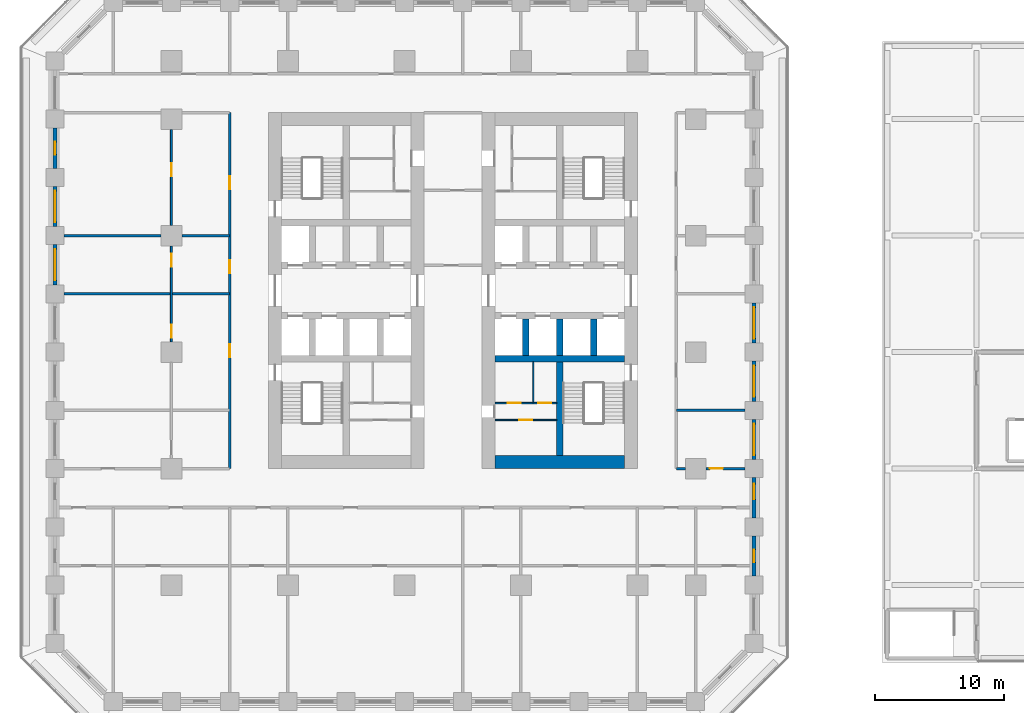
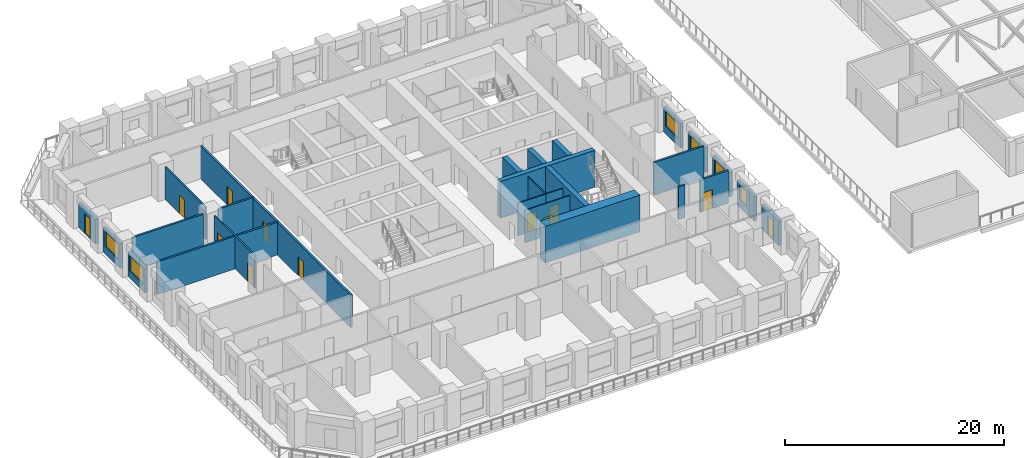
# One storey, part 20 of 30: 27 walls, 12 doors, 6 windows, 18 openings.
"""IFC4 building model written with IfcOpenShell, lengths in metres."""

from ifc_helpers import new_model, si_unit, direction, frame, frame_2d, origin, place, context, subcontext, project, spatial, rectangle, extrude, material, layer, layer_set, type_object, element, fill, save


model = new_model("IFC4")

# Units and contexts
model_context = context("Model", 3, precision=1e-05, world=origin(), true_north=direction((0.0, 1.0)))
body_context = subcontext(model_context, "Body", "Model", "MODEL_VIEW")
ifc_project = project(units=[si_unit("LENGTHUNIT", "METRE"), si_unit("AREAUNIT", "SQUARE_METRE"), si_unit("VOLUMEUNIT", "CUBIC_METRE"), si_unit("PLANEANGLEUNIT", "RADIAN"), si_unit("MASSUNIT", "GRAM", prefix="KILO")], contexts=[model_context])

# Site, building, storey
site_placement = place(None, origin())
site = spatial("IfcSite", under=ifc_project, at=site_placement, CompositionType="ELEMENT")
building_placement = place(site_placement, origin())
building = spatial("IfcBuilding", under=site, at=building_placement, Name="Corbel Stack Research Tower", CompositionType="ELEMENT")
storey_placement = place(building_placement, frame((0.0, 0.0, 19.5)))
storey = spatial("IfcBuildingStorey", under=building, at=storey_placement, Name="L04", CompositionType="ELEMENT", Elevation=19.5)

# Walls
ifc_material_1 = material(Name="Concrete C70/85", Category="concrete")
ifc_layer_1 = layer(ifc_material_1, 1.0)
ifc_layer_set_1 = layer_set([ifc_layer_1], Name="Concrete C70/85")
wall_type_1 = type_object("IfcWallType", Name="CW-1000-70", PredefinedType="SHEAR", material=ifc_layer_set_1)
wall_1_placement = place(storey_placement, frame((7.0, -8.5, 0.0), z_axis=(0.0, 0.0, 1.0), x_axis=(1.0, 0.0, 0.0)))
element("IfcWall", 1, at=wall_1_placement, inside=storey, type_object=wall_type_1, Name="East core wall, south end L04", PredefinedType="SHEAR", context=body_context, shape_type="SweptSolid", body=[
    extrude(rectangle(XDim=10.0, YDim=1.0, at=frame_2d((5.0, 0.0))), origin(), (0.0, 0.0, 1.0), 4.10009765625),
])
ifc_material_2 = material(Name="Concrete C70/85", Category="concrete")
ifc_layer_2 = layer(ifc_material_2, 0.5)
ifc_layer_set_2 = layer_set([ifc_layer_2], Name="Concrete C70/85")
wall_type_2 = type_object("IfcWallType", Name="CW-500-70", PredefinedType="SHEAR", material=ifc_layer_set_2)
wall_2_placement = place(storey_placement, frame((7.0, -0.5, 0.0), z_axis=(0.0, 0.0, 1.0), x_axis=(1.0, 0.0, 0.0)))
element("IfcWall", 2, at=wall_2_placement, inside=storey, type_object=wall_type_2, Name="East core wall, south row back L04", PredefinedType="SHEAR", context=body_context, shape_type="SweptSolid", body=[
    extrude(rectangle(XDim=10.0, YDim=0.5, at=frame_2d((5.0, 0.0))), origin(), (0.0, 0.0, 1.0), 4.10009765625),
])
for number, where, z_axis, x_axis, name in (
    (3, (9.375, -0.25, 0.0), (0.0, 0.0, 1.0), (0.0, 1.0, 0.0), "East core wall, south shaft 1 L04"),
    (4, (12.0, -0.25, 0.0), (0.0, 0.0, 1.0), (0.0, 1.0, 0.0), "East core wall, south shaft 2 L04"),
    (5, (14.625, -0.25, 0.0), (0.0, 0.0, 1.0), (0.0, 1.0, 0.0), "East core wall, south shaft 3 L04"),
):
    element("IfcWall", number, at=place(storey_placement, frame(where, z_axis=z_axis, x_axis=x_axis)), inside=storey, type_object=wall_type_2, Name=name, PredefinedType="SHEAR", context=body_context, shape_type="SweptSolid", body=[
        extrude(rectangle(XDim=2.800048828125, YDim=0.5, at=frame_2d((1.39990234375, 0.0))), origin(), (0.0, 0.0, 1.0), 4.10009765625),
    ])
wall_3_placement = place(storey_placement, frame((12.0, -8.0, 0.0), z_axis=(0.0, 0.0, 1.0), x_axis=(0.0, 1.0, 0.0)))
element("IfcWall", 6, at=wall_3_placement, inside=storey, type_object=wall_type_2, Name="East core wall, south stair and WC L04", PredefinedType="SHEAR", context=body_context, shape_type="SweptSolid", body=[
    extrude(rectangle(XDim=7.25, YDim=0.5, at=frame_2d((3.625, 0.0))), origin(), (0.0, 0.0, 1.0), 4.10009765625),
])

# Wall, opening, door
ifc_material_3 = material(Name="Gypsum board")
ifc_layer_3 = layer(ifc_material_3, 0.10009765625)
ifc_layer_set_3 = layer_set([ifc_layer_3], Name="Gypsum board")
wall_type_3 = type_object("IfcWallType", Name="Core partition 100", PredefinedType="PARTITIONING", material=ifc_layer_set_3)
wall_4_placement = place(storey_placement, frame((7.0, -5.2451171875, 0.0), z_axis=(0.0, 0.0, 1.0), x_axis=(1.0, 0.0, 0.0)))
wall_4 = element("IfcWall", 7, at=wall_4_placement, inside=storey, type_object=wall_type_3, Name="Core partition E", PredefinedType="PARTITIONING", context=body_context, shape_type="SweptSolid", body=[
    extrude(rectangle(XDim=4.75, YDim=0.10009765625, at=frame_2d((2.375, 0.0))), origin(), (0.0, 0.0, 1.0), 3.64990234375),
])
opening_1_placement = place(wall_4_placement, frame((1.875, 0.0, 0.0)))
opening_1 = element("IfcOpeningElement", 8, at=opening_1_placement, cuts=wall_4, Name="Opening CR-E24-W2-1000", PredefinedType="OPENING", context=body_context, shape_type="SweptSolid", body=[
    extrude(rectangle(XDim=1.0, YDim=2.10009765625, at=frame_2d((0.5, 1.050048828125))), frame((0.0, 0.06005859375, 0.0), z_axis=(0.0, -1.0, 0.0), x_axis=(1.0, 0.0, 0.0)), (0.0, 0.0, 1.0), 0.1201171875),
])
ifc_material_4 = material(Name="Painted timber door", Category="wood")
door_type_1 = type_object("IfcDoorType", Name="WC door 1000 x 2100 left hand", OperationType="SINGLE_SWING_LEFT", PredefinedType="DOOR", material=ifc_material_4)
door_1_placement = place(opening_1_placement, origin())
door_1 = element("IfcDoor", 9, at=door_1_placement, inside=storey, type_object=door_type_1, Name="Men's WC door E core", OperationType="SINGLE_SWING_LEFT", OverallHeight=2.10009765625, OverallWidth=1.0, PredefinedType="DOOR", context=body_context, shape_type="SweptSolid", body=[
    extrude(rectangle(XDim=1.0, YDim=2.10009765625, at=frame_2d((0.5, 1.050048828125))), frame((0.0, 0.02490234375, 0.0), z_axis=(0.0, -1.0, 0.0), x_axis=(1.0, 0.0, 0.0)), (0.0, 0.0, 1.0), 0.050048828125),
])
fill(opening_1, door_1)

wall_5_placement = place(storey_placement, frame((7.0, -3.93994140625, 0.0), z_axis=(0.0, 0.0, 1.0), x_axis=(1.0, 0.0, 0.0)))
wall_5 = element("IfcWall", 10, at=wall_5_placement, inside=storey, type_object=wall_type_3, Name="Core partition E", PredefinedType="PARTITIONING", context=body_context, shape_type="SweptSolid", body=[
    extrude(rectangle(XDim=2.945068359375, YDim=0.10009765625, at=frame_2d((1.47265625, 0.0))), origin(), (0.0, 0.0, 1.0), 3.64990234375),
])
opening_2_placement = place(wall_5_placement, frame((0.972412109375, 0.0, 0.0)))
opening_2 = element("IfcOpeningElement", 11, at=opening_2_placement, cuts=wall_5, Name="Opening CR-E24-W3-1000", PredefinedType="OPENING", context=body_context, shape_type="SweptSolid", body=[
    extrude(rectangle(XDim=1.0, YDim=2.10009765625, at=frame_2d((0.5, 1.050048828125))), frame((0.0, 0.06005859375, 0.0), z_axis=(0.0, -1.0, 0.0), x_axis=(1.0, 0.0, 0.0)), (0.0, 0.0, 1.0), 0.1201171875),
])
ifc_material_5 = material(Name="Painted timber door", Category="wood")
door_type_2 = type_object("IfcDoorType", Name="WC door 1000 x 2100 right hand", OperationType="SINGLE_SWING_RIGHT", PredefinedType="DOOR", material=ifc_material_5)
door_2_placement = place(opening_2_placement, origin())
door_2 = element("IfcDoor", 12, at=door_2_placement, inside=storey, type_object=door_type_2, Name="Women's WC door E core", OperationType="SINGLE_SWING_RIGHT", OverallHeight=2.10009765625, OverallWidth=1.0, PredefinedType="DOOR", context=body_context, shape_type="SweptSolid", body=[
    extrude(rectangle(XDim=1.0, YDim=2.10009765625, at=frame_2d((0.5, 1.050048828125))), frame((0.0, 0.02490234375, 0.0), z_axis=(0.0, -1.0, 0.0), x_axis=(1.0, 0.0, 0.0)), (0.0, 0.0, 1.0), 0.050048828125),
])
fill(opening_2, door_2)

wall_6_placement = place(storey_placement, frame((9.945068359375, -3.93994140625, 0.0), z_axis=(0.0, 0.0, 1.0), x_axis=(1.0, 0.0, 0.0)))
wall_6 = element("IfcWall", 13, at=wall_6_placement, inside=storey, type_object=wall_type_3, Name="Core partition E", PredefinedType="PARTITIONING", context=body_context, shape_type="SweptSolid", body=[
    extrude(rectangle(XDim=1.804931640625, YDim=0.10009765625, at=frame_2d((0.90234375, 0.0))), origin(), (0.0, 0.0, 1.0), 3.64990234375),
])
opening_3_placement = place(wall_6_placement, frame((0.402587890625, 0.0, 0.0)))
opening_3 = element("IfcOpeningElement", 14, at=opening_3_placement, cuts=wall_6, Name="Opening CR-E24-W4-1000", PredefinedType="OPENING", context=body_context, shape_type="SweptSolid", body=[
    extrude(rectangle(XDim=1.0, YDim=2.10009765625, at=frame_2d((0.5, 1.050048828125))), frame((0.0, 0.06005859375, 0.0), z_axis=(0.0, -1.0, 0.0), x_axis=(1.0, 0.0, 0.0)), (0.0, 0.0, 1.0), 0.1201171875),
])
door_3_placement = place(opening_3_placement, origin())
door_3 = element("IfcDoor", 15, at=door_3_placement, inside=storey, type_object=door_type_1, Name="Accessible WC door E core", OperationType="SINGLE_SWING_LEFT", OverallHeight=2.10009765625, OverallWidth=1.0, PredefinedType="DOOR", context=body_context, shape_type="SweptSolid", body=[
    extrude(rectangle(XDim=1.0, YDim=2.10009765625, at=frame_2d((0.5, 1.050048828125))), frame((0.0, 0.02490234375, 0.0), z_axis=(0.0, -1.0, 0.0), x_axis=(1.0, 0.0, 0.0)), (0.0, 0.0, 1.0), 0.050048828125),
])
fill(opening_3, door_3)

# Wall
wall_7_placement = place(storey_placement, frame((9.945068359375, -3.93994140625, 0.0), z_axis=(0.0, 0.0, 1.0), x_axis=(0.0, 1.0, 0.0)))
element("IfcWall", 16, at=wall_7_placement, inside=storey, type_object=wall_type_3, Name="Core partition E", PredefinedType="PARTITIONING", context=body_context, shape_type="SweptSolid", body=[
    extrude(rectangle(XDim=3.18994140625, YDim=0.10009765625, at=frame_2d((1.594970703125, 0.0))), origin(), (0.0, 0.0, 1.0), 3.64990234375),
])

# Wall, openings, doors
ifc_material_6 = material(Name="Fire-rated gypsum board partition on steel studs", Category="steel")
ifc_layer_4 = layer(ifc_material_6, 0.199951171875)
ifc_layer_set_4 = layer_set([ifc_layer_4], Name="Fire-rated gypsum board partition on steel studs")
wall_type_4 = type_object("IfcWallType", Name="Fire-rated partition 200 EI 60", PredefinedType="PARTITIONING", material=ifc_layer_set_4)
wall_8_placement = place(storey_placement, frame((-13.5, -9.0, 0.0), z_axis=(0.0, 0.0, 1.0), x_axis=(0.0, 1.0, 0.0)))
wall_8 = element("IfcWall", 17, at=wall_8_placement, inside=storey, type_object=wall_type_4, Name="Partition L04-007", PredefinedType="PARTITIONING", context=body_context, shape_type="SweptSolid", body=[
    extrude(rectangle(XDim=27.5, YDim=0.199951171875, at=frame_2d((13.75, 0.0))), origin(), (0.0, 0.0, 1.0), 3.64990234375),
])
opening_4_placement = place(wall_8_placement, frame((8.60009765625, 0.0, 0.0)))
opening_4 = element("IfcOpeningElement", 18, at=opening_4_placement, cuts=wall_8, Name="Opening B1V1-013", PredefinedType="OPENING", context=body_context, shape_type="SweptSolid", body=[
    extrude(rectangle(XDim=1.0, YDim=2.10009765625, at=frame_2d((0.5, 1.050048828125))), frame((0.0, 0.10986328125, 0.0), z_axis=(0.0, -1.0, 0.0), x_axis=(1.0, 0.0, 0.0)), (0.0, 0.0, 1.0), 0.219970703125),
])
opening_5_placement = place(wall_8_placement, frame((15.10009765625, 0.0, 0.0)))
opening_5 = element("IfcOpeningElement", 19, at=opening_5_placement, cuts=wall_8, Name="Opening B1V1-014", PredefinedType="OPENING", context=body_context, shape_type="SweptSolid", body=[
    extrude(rectangle(XDim=1.0, YDim=2.10009765625, at=frame_2d((0.5, 1.050048828125))), frame((0.0, 0.10986328125, 0.0), z_axis=(0.0, -1.0, 0.0), x_axis=(1.0, 0.0, 0.0)), (0.0, 0.0, 1.0), 0.219970703125),
])
opening_6_placement = place(wall_8_placement, frame((21.60009765625, 0.0, 0.0)))
opening_6 = element("IfcOpeningElement", 20, at=opening_6_placement, cuts=wall_8, Name="Opening B1V1-015", PredefinedType="OPENING", context=body_context, shape_type="SweptSolid", body=[
    extrude(rectangle(XDim=1.0, YDim=2.10009765625, at=frame_2d((0.5, 1.050048828125))), frame((0.0, 0.10986328125, 0.0), z_axis=(0.0, -1.0, 0.0), x_axis=(1.0, 0.0, 0.0)), (0.0, 0.0, 1.0), 0.219970703125),
])
ifc_material_7 = material(Name="Painted steel fire door", Category="steel")
door_type_3 = type_object("IfcDoorType", Name="Fire door FD30S 1000 x 2100", OperationType="NOTDEFINED", PredefinedType="DOOR", material=ifc_material_7)
door_4_placement = place(opening_4_placement, origin())
door_4 = element("IfcDoor", 21, at=door_4_placement, inside=storey, type_object=door_type_3, Name="Door B1V1-013", OperationType="SINGLE_SWING_LEFT", OverallHeight=2.10009765625, OverallWidth=1.0, PredefinedType="DOOR", context=body_context, shape_type="SweptSolid", body=[
    extrude(rectangle(XDim=1.0, YDim=2.10009765625, at=frame_2d((0.5, 1.050048828125))), frame((0.0, 0.02490234375, 0.0), z_axis=(0.0, -1.0, 0.0), x_axis=(1.0, 0.0, 0.0)), (0.0, 0.0, 1.0), 0.050048828125),
])
fill(opening_4, door_4)
door_5_placement = place(opening_5_placement, origin())
door_5 = element("IfcDoor", 22, at=door_5_placement, inside=storey, type_object=door_type_3, Name="Door B1V1-014", OperationType="SINGLE_SWING_RIGHT", OverallHeight=2.10009765625, OverallWidth=1.0, PredefinedType="DOOR", context=body_context, shape_type="SweptSolid", body=[
    extrude(rectangle(XDim=1.0, YDim=2.10009765625, at=frame_2d((0.5, 1.050048828125))), frame((0.0, 0.02490234375, 0.0), z_axis=(0.0, -1.0, 0.0), x_axis=(1.0, 0.0, 0.0)), (0.0, 0.0, 1.0), 0.050048828125),
])
fill(opening_5, door_5)
door_6_placement = place(opening_6_placement, origin())
door_6 = element("IfcDoor", 23, at=door_6_placement, inside=storey, type_object=door_type_3, Name="Door B1V1-015", OperationType="SINGLE_SWING_RIGHT", OverallHeight=2.10009765625, OverallWidth=1.0, PredefinedType="DOOR", context=body_context, shape_type="SweptSolid", body=[
    extrude(rectangle(XDim=1.0, YDim=2.10009765625, at=frame_2d((0.5, 1.050048828125))), frame((0.0, 0.02490234375, 0.0), z_axis=(0.0, -1.0, 0.0), x_axis=(1.0, 0.0, 0.0)), (0.0, 0.0, 1.0), 0.050048828125),
])
fill(opening_6, door_6)

# Wall
wall_9_placement = place(storey_placement, frame((21.0, -9.0, 0.0), z_axis=(0.0, 0.0, 1.0), x_axis=(1.0, 0.0, 0.0)))
element("IfcWall", 24, at=wall_9_placement, inside=storey, type_object=wall_type_4, Name="Partition L04-028", PredefinedType="PARTITIONING", context=body_context, shape_type="SweptSolid", body=[
    extrude(rectangle(XDim=0.699951171875, YDim=0.199951171875, at=frame_2d((0.35009765625, 0.0))), origin(), (0.0, 0.0, 1.0), 3.64990234375),
])

# Wall, opening, door
wall_10_placement = place(storey_placement, frame((23.300048828125, -9.0, 0.0), z_axis=(0.0, 0.0, 1.0), x_axis=(1.0, 0.0, 0.0)))
wall_10 = element("IfcWall", 25, at=wall_10_placement, inside=storey, type_object=wall_type_4, Name="Partition L04-029", PredefinedType="PARTITIONING", context=body_context, shape_type="SweptSolid", body=[
    extrude(rectangle(XDim=3.0, YDim=0.199951171875, at=frame_2d((1.5, 0.0))), origin(), (0.0, 0.0, 1.0), 3.64990234375),
])
opening_7_placement = place(wall_10_placement, frame((0.300048828125, 0.0, 0.0)))
opening_7 = element("IfcOpeningElement", 26, at=opening_7_placement, cuts=wall_10, Name="Opening B1V1-025", PredefinedType="OPENING", context=body_context, shape_type="SweptSolid", body=[
    extrude(rectangle(XDim=1.0, YDim=2.10009765625, at=frame_2d((0.5, 1.050048828125))), frame((0.0, 0.10986328125, 0.0), z_axis=(0.0, -1.0, 0.0), x_axis=(1.0, 0.0, 0.0)), (0.0, 0.0, 1.0), 0.219970703125),
])
door_7_placement = place(opening_7_placement, origin())
door_7 = element("IfcDoor", 27, at=door_7_placement, inside=storey, type_object=door_type_3, Name="Door B1V1-025", OperationType="SINGLE_SWING_LEFT", OverallHeight=2.10009765625, OverallWidth=1.0, PredefinedType="DOOR", context=body_context, shape_type="SweptSolid", body=[
    extrude(rectangle(XDim=1.0, YDim=2.10009765625, at=frame_2d((0.5, 1.050048828125))), frame((0.0, 0.02490234375, 0.0), z_axis=(0.0, -1.0, 0.0), x_axis=(1.0, 0.0, 0.0)), (0.0, 0.0, 1.0), 0.050048828125),
])
fill(opening_7, door_7)

# Walls
wall_11_placement = place(storey_placement, frame((21.0, -4.5, 0.0), z_axis=(0.0, 0.0, 1.0), x_axis=(1.0, 0.0, 0.0)))
element("IfcWall", 28, at=wall_11_placement, inside=storey, type_object=wall_type_4, Name="Partition L04-031", PredefinedType="PARTITIONING", context=body_context, shape_type="SweptSolid", body=[
    extrude(rectangle(XDim=5.300048828125, YDim=0.199951171875, at=frame_2d((2.64990234375, 0.0))), origin(), (0.0, 0.0, 1.0), 3.64990234375),
])
wall_12_placement = place(storey_placement, frame((-26.300048828125, 4.5, 0.0), z_axis=(0.0, 0.0, 1.0), x_axis=(1.0, 0.0, 0.0)))
element("IfcWall", 29, at=wall_12_placement, inside=storey, type_object=wall_type_4, Name="Partition L04-032", PredefinedType="PARTITIONING", context=body_context, shape_type="SweptSolid", body=[
    extrude(rectangle(XDim=12.800048828125, YDim=0.199951171875, at=frame_2d((6.39990234375, 0.0))), origin(), (0.0, 0.0, 1.0), 3.64990234375),
])
wall_13_placement = place(storey_placement, frame((-26.300048828125, 9.0, 0.0), z_axis=(0.0, 0.0, 1.0), x_axis=(1.0, 0.0, 0.0)))
element("IfcWall", 30, at=wall_13_placement, inside=storey, type_object=wall_type_4, Name="Partition L04-035", PredefinedType="PARTITIONING", context=body_context, shape_type="SweptSolid", body=[
    extrude(rectangle(XDim=7.5, YDim=0.199951171875, at=frame_2d((3.75, 0.0))), origin(), (0.0, 0.0, 1.0), 3.64990234375),
])
wall_14_placement = place(storey_placement, frame((-17.199951171875, 9.0, 0.0), z_axis=(0.0, 0.0, 1.0), x_axis=(1.0, 0.0, 0.0)))
element("IfcWall", 31, at=wall_14_placement, inside=storey, type_object=wall_type_4, Name="Partition L04-036", PredefinedType="PARTITIONING", context=body_context, shape_type="SweptSolid", body=[
    extrude(rectangle(XDim=3.699951171875, YDim=0.199951171875, at=frame_2d((1.85009765625, 0.0))), origin(), (0.0, 0.0, 1.0), 3.64990234375),
])

# Wall, openings, doors
ifc_material_8 = material(Name="Gypsum board partition on steel studs", Category="steel")
ifc_layer_5 = layer(ifc_material_8, 0.14990234375)
ifc_layer_set_5 = layer_set([ifc_layer_5], Name="Gypsum board partition on steel studs")
wall_type_5 = type_object("IfcWallType", Name="Partition 150", PredefinedType="PARTITIONING", material=ifc_layer_set_5)
wall_15_placement = place(storey_placement, frame((-18.0, 0.800048828125, 0.0), z_axis=(0.0, 0.0, 1.0), x_axis=(0.0, 1.0, 0.0)))
wall_15 = element("IfcWall", 32, at=wall_15_placement, inside=storey, type_object=wall_type_5, Name="Partition L04-004", PredefinedType="PARTITIONING", context=body_context, shape_type="SweptSolid", body=[
    extrude(rectangle(XDim=7.39990234375, YDim=0.14990234375, at=frame_2d((3.699951171875, 0.0))), origin(), (0.0, 0.0, 1.0), 3.64990234375),
])
opening_8_placement = place(wall_15_placement, frame((0.300048828125, 0.0, 0.0)))
opening_8 = element("IfcOpeningElement", 33, at=opening_8_placement, cuts=wall_15, Name="Opening B1V1-002", PredefinedType="OPENING", context=body_context, shape_type="SweptSolid", body=[
    extrude(rectangle(XDim=1.0, YDim=2.10009765625, at=frame_2d((0.5, 1.050048828125))), frame((0.0, 0.0849609375, 0.0), z_axis=(0.0, -1.0, 0.0), x_axis=(1.0, 0.0, 0.0)), (0.0, 0.0, 1.0), 0.169921875),
])
opening_9_placement = place(wall_15_placement, frame((5.800048828125, 0.0, 0.0)))
opening_9 = element("IfcOpeningElement", 34, at=opening_9_placement, cuts=wall_15, Name="Opening B1V1-003", PredefinedType="OPENING", context=body_context, shape_type="SweptSolid", body=[
    extrude(rectangle(XDim=1.0, YDim=2.10009765625, at=frame_2d((0.5, 1.050048828125))), frame((0.0, 0.0849609375, 0.0), z_axis=(0.0, -1.0, 0.0), x_axis=(1.0, 0.0, 0.0)), (0.0, 0.0, 1.0), 0.169921875),
])
ifc_material_9 = material(Name="Painted timber door", Category="wood")
door_type_4 = type_object("IfcDoorType", Name="Single door 1000 x 2100", OperationType="NOTDEFINED", PredefinedType="DOOR", material=ifc_material_9)
door_8_placement = place(opening_8_placement, origin())
door_8 = element("IfcDoor", 35, at=door_8_placement, inside=storey, type_object=door_type_4, Name="Door B1V1-002", OperationType="SINGLE_SWING_LEFT", OverallHeight=2.10009765625, OverallWidth=1.0, PredefinedType="DOOR", context=body_context, shape_type="SweptSolid", body=[
    extrude(rectangle(XDim=1.0, YDim=2.10009765625, at=frame_2d((0.5, 1.050048828125))), frame((0.0, 0.02490234375, 0.0), z_axis=(0.0, -1.0, 0.0), x_axis=(1.0, 0.0, 0.0)), (0.0, 0.0, 1.0), 0.050048828125),
])
fill(opening_8, door_8)
door_9_placement = place(opening_9_placement, origin())
door_9 = element("IfcDoor", 36, at=door_9_placement, inside=storey, type_object=door_type_4, Name="Door B1V1-003", OperationType="SINGLE_SWING_RIGHT", OverallHeight=2.10009765625, OverallWidth=1.0, PredefinedType="DOOR", context=body_context, shape_type="SweptSolid", body=[
    extrude(rectangle(XDim=1.0, YDim=2.10009765625, at=frame_2d((0.5, 1.050048828125))), frame((0.0, 0.02490234375, 0.0), z_axis=(0.0, -1.0, 0.0), x_axis=(1.0, 0.0, 0.0)), (0.0, 0.0, 1.0), 0.050048828125),
])
fill(opening_9, door_9)

# Wall, opening, door
wall_16_placement = place(storey_placement, frame((-18.0, 9.800048828125, 0.0), z_axis=(0.0, 0.0, 1.0), x_axis=(0.0, 1.0, 0.0)))
wall_16 = element("IfcWall", 37, at=wall_16_placement, inside=storey, type_object=wall_type_5, Name="Partition L04-005", PredefinedType="PARTITIONING", context=body_context, shape_type="SweptSolid", body=[
    extrude(rectangle(XDim=7.39990234375, YDim=0.14990234375, at=frame_2d((3.699951171875, 0.0))), origin(), (0.0, 0.0, 1.0), 3.64990234375),
])
opening_10_placement = place(wall_16_placement, frame((3.800048828125, 0.0, 0.0)))
opening_10 = element("IfcOpeningElement", 38, at=opening_10_placement, cuts=wall_16, Name="Opening B1V1-004", PredefinedType="OPENING", context=body_context, shape_type="SweptSolid", body=[
    extrude(rectangle(XDim=1.0, YDim=2.10009765625, at=frame_2d((0.5, 1.050048828125))), frame((0.0, 0.0849609375, 0.0), z_axis=(0.0, -1.0, 0.0), x_axis=(1.0, 0.0, 0.0)), (0.0, 0.0, 1.0), 0.169921875),
])
door_10_placement = place(opening_10_placement, origin())
door_10 = element("IfcDoor", 39, at=door_10_placement, inside=storey, type_object=door_type_4, Name="Door B1V1-004", OperationType="SINGLE_SWING_RIGHT", OverallHeight=2.10009765625, OverallWidth=1.0, PredefinedType="DOOR", context=body_context, shape_type="SweptSolid", body=[
    extrude(rectangle(XDim=1.0, YDim=2.10009765625, at=frame_2d((0.5, 1.050048828125))), frame((0.0, 0.02490234375, 0.0), z_axis=(0.0, -1.0, 0.0), x_axis=(1.0, 0.0, 0.0)), (0.0, 0.0, 1.0), 0.050048828125),
])
fill(opening_10, door_10)

ifc_material_10 = material(Name="Concrete C45/55", Category="concrete")
ifc_layer_6 = layer(ifc_material_10, 0.300048828125)
ifc_layer_set_6 = layer_set([ifc_layer_6], Name="Concrete C45/55")
wall_type_6 = type_object("IfcWallType", Name="Terracotta-faced concrete wall 300", PredefinedType="SOLIDWALL", material=ifc_layer_set_6)
wall_17_placement = place(storey_placement, frame((27.0, -14.199951171875, 0.0), z_axis=(0.0, 0.0, 1.0), x_axis=(0.0, -1.0, 0.0)))
wall_17 = element("IfcWall", 40, at=wall_17_placement, inside=storey, type_object=wall_type_6, Name="Facade wall L04 E02", PredefinedType="SOLIDWALL", context=body_context, shape_type="SweptSolid", body=[
    extrude(rectangle(XDim=3.10009765625, YDim=0.300048828125, at=frame_2d((1.550048828125, 0.0))), origin(), (0.0, 0.0, 1.0), 2.75),
])
opening_11_placement = place(wall_17_placement, frame((1.050048828125, 0.0, 0.0)))
opening_11 = element("IfcOpeningElement", 41, at=opening_11_placement, cuts=wall_17, Name="Opening L04-B04", PredefinedType="OPENING", context=body_context, shape_type="SweptSolid", body=[
    extrude(rectangle(XDim=1.0, YDim=2.199951171875, at=frame_2d((0.5, 1.10009765625))), frame((0.0, 0.159912109375, 0.0), z_axis=(0.0, -1.0, 0.0), x_axis=(1.0, 0.0, 0.0)), (0.0, 0.0, 1.0), 0.320068359375),
])
ifc_material_11 = material(Name="Aluminium frame, clear double glazing", Category="aluminium")
door_type_5 = type_object("IfcDoorType", Name="Balcony door BD1 1000 x 2200", OperationType="NOTDEFINED", PredefinedType="DOOR", material=ifc_material_11)
door_11_placement = place(opening_11_placement, origin())
door_11 = element("IfcDoor", 42, at=door_11_placement, inside=storey, type_object=door_type_5, Name="Balcony door L04-B04", OperationType="SINGLE_SWING_RIGHT", OverallHeight=2.199951171875, OverallWidth=1.0, PredefinedType="DOOR", context=body_context, shape_type="SweptSolid", body=[
    extrude(rectangle(XDim=1.0, YDim=2.199951171875, at=frame_2d((0.5, 1.10009765625))), frame((0.0, 0.02490234375, 0.0), z_axis=(0.0, -1.0, 0.0), x_axis=(1.0, 0.0, 0.0)), (0.0, 0.0, 1.0), 0.050048828125),
])
fill(opening_11, door_11)

# Wall, opening, window
wall_18_placement = place(storey_placement, frame((27.0, -9.699951171875, 0.0), z_axis=(0.0, 0.0, 1.0), x_axis=(0.0, -1.0, 0.0)))
wall_18 = element("IfcWall", 43, at=wall_18_placement, inside=storey, type_object=wall_type_6, Name="Facade wall L04 E03", PredefinedType="SOLIDWALL", context=body_context, shape_type="SweptSolid", body=[
    extrude(rectangle(XDim=3.10009765625, YDim=0.300048828125, at=frame_2d((1.550048828125, 0.0))), origin(), (0.0, 0.0, 1.0), 2.75),
])
opening_12_placement = place(wall_18_placement, frame((0.47509765625, 0.0, 0.800048828125)))
opening_12 = element("IfcOpeningElement", 44, at=opening_12_placement, cuts=wall_18, Name="Opening W2", PredefinedType="OPENING", context=body_context, shape_type="SweptSolid", body=[
    extrude(rectangle(XDim=1.199951171875, YDim=1.699951171875, at=frame_2d((0.60009765625, 0.85009765625))), frame((0.0, 0.159912109375, 0.0), z_axis=(0.0, -1.0, 0.0), x_axis=(1.0, 0.0, 0.0)), (0.0, 0.0, 1.0), 0.320068359375),
])
ifc_material_12 = material(Name="Aluminium frame, clear double glazing", Category="aluminium")
window_type_1 = type_object("IfcWindowType", Name="Window W2 1200 x 1700", PartitioningType="SINGLE_PANEL", PredefinedType="WINDOW", material=ifc_material_12)
window_1_placement = place(opening_12_placement, origin())
window_1 = element("IfcWindow", 45, at=window_1_placement, inside=storey, type_object=window_type_1, Name="Window W2 L04 E03", OverallHeight=1.699951171875, OverallWidth=1.199951171875, PartitioningType="SINGLE_PANEL", PredefinedType="WINDOW", context=body_context, shape_type="SweptSolid", body=[
    extrude(rectangle(XDim=1.199951171875, YDim=1.699951171875, at=frame_2d((0.60009765625, 0.85009765625))), frame((0.0, 0.030029296875, 0.0), z_axis=(0.0, -1.0, 0.0), x_axis=(1.0, 0.0, 0.0)), (0.0, 0.0, 1.0), 0.06005859375),
])
fill(opening_12, window_1)

wall_19_placement = place(storey_placement, frame((27.0, -5.199951171875, 0.0), z_axis=(0.0, 0.0, 1.0), x_axis=(0.0, -1.0, 0.0)))
wall_19 = element("IfcWall", 46, at=wall_19_placement, inside=storey, type_object=wall_type_6, Name="Facade wall L04 E04", PredefinedType="SOLIDWALL", context=body_context, shape_type="SweptSolid", body=[
    extrude(rectangle(XDim=3.10009765625, YDim=0.300048828125, at=frame_2d((1.550048828125, 0.0))), origin(), (0.0, 0.0, 1.0), 2.75),
])
opening_13_placement = place(wall_19_placement, frame((0.35009765625, 0.0, 0.800048828125)))
opening_13 = element("IfcOpeningElement", 47, at=opening_13_placement, cuts=wall_19, Name="Opening W1", PredefinedType="OPENING", context=body_context, shape_type="SweptSolid", body=[
    extrude(rectangle(XDim=2.39990234375, YDim=1.699951171875, at=frame_2d((1.199951171875, 0.85009765625))), frame((0.0, 0.159912109375, 0.0), z_axis=(0.0, -1.0, 0.0), x_axis=(1.0, 0.0, 0.0)), (0.0, 0.0, 1.0), 0.320068359375),
])
ifc_material_13 = material(Name="Aluminium frame, clear double glazing", Category="aluminium")
window_type_2 = type_object("IfcWindowType", Name="Window W1 2400 x 1700", PartitioningType="SINGLE_PANEL", PredefinedType="WINDOW", material=ifc_material_13)
window_2_placement = place(opening_13_placement, origin())
window_2 = element("IfcWindow", 48, at=window_2_placement, inside=storey, type_object=window_type_2, Name="Window W1 L04 E04", OverallHeight=1.699951171875, OverallWidth=2.39990234375, PartitioningType="SINGLE_PANEL", PredefinedType="WINDOW", context=body_context, shape_type="SweptSolid", body=[
    extrude(rectangle(XDim=2.39990234375, YDim=1.699951171875, at=frame_2d((1.199951171875, 0.85009765625))), frame((0.0, 0.030029296875, 0.0), z_axis=(0.0, -1.0, 0.0), x_axis=(1.0, 0.0, 0.0)), (0.0, 0.0, 1.0), 0.06005859375),
])
fill(opening_13, window_2)

wall_20_placement = place(storey_placement, frame((27.0, -0.699951171875, 0.0), z_axis=(0.0, 0.0, 1.0), x_axis=(0.0, -1.0, 0.0)))
wall_20 = element("IfcWall", 49, at=wall_20_placement, inside=storey, type_object=wall_type_6, Name="Facade wall L04 E05", PredefinedType="SOLIDWALL", context=body_context, shape_type="SweptSolid", body=[
    extrude(rectangle(XDim=3.10009765625, YDim=0.300048828125, at=frame_2d((1.550048828125, 0.0))), origin(), (0.0, 0.0, 1.0), 2.75),
])
opening_14_placement = place(wall_20_placement, frame((0.35009765625, 0.0, 0.800048828125)))
opening_14 = element("IfcOpeningElement", 50, at=opening_14_placement, cuts=wall_20, Name="Opening W1", PredefinedType="OPENING", context=body_context, shape_type="SweptSolid", body=[
    extrude(rectangle(XDim=2.39990234375, YDim=1.699951171875, at=frame_2d((1.199951171875, 0.85009765625))), frame((0.0, 0.159912109375, 0.0), z_axis=(0.0, -1.0, 0.0), x_axis=(1.0, 0.0, 0.0)), (0.0, 0.0, 1.0), 0.320068359375),
])
window_3_placement = place(opening_14_placement, origin())
window_3 = element("IfcWindow", 51, at=window_3_placement, inside=storey, type_object=window_type_2, Name="Window W1 L04 E05", OverallHeight=1.699951171875, OverallWidth=2.39990234375, PartitioningType="SINGLE_PANEL", PredefinedType="WINDOW", context=body_context, shape_type="SweptSolid", body=[
    extrude(rectangle(XDim=2.39990234375, YDim=1.699951171875, at=frame_2d((1.199951171875, 0.85009765625))), frame((0.0, 0.030029296875, 0.0), z_axis=(0.0, -1.0, 0.0), x_axis=(1.0, 0.0, 0.0)), (0.0, 0.0, 1.0), 0.06005859375),
])
fill(opening_14, window_3)

wall_21_placement = place(storey_placement, frame((27.0, 3.800048828125, 0.0), z_axis=(0.0, 0.0, 1.0), x_axis=(0.0, -1.0, 0.0)))
wall_21 = element("IfcWall", 52, at=wall_21_placement, inside=storey, type_object=wall_type_6, Name="Facade wall L04 E06", PredefinedType="SOLIDWALL", context=body_context, shape_type="SweptSolid", body=[
    extrude(rectangle(XDim=3.10009765625, YDim=0.300048828125, at=frame_2d((1.550048828125, 0.0))), origin(), (0.0, 0.0, 1.0), 2.75),
])
opening_15_placement = place(wall_21_placement, frame((0.35009765625, 0.0, 0.800048828125)))
opening_15 = element("IfcOpeningElement", 53, at=opening_15_placement, cuts=wall_21, Name="Opening W1", PredefinedType="OPENING", context=body_context, shape_type="SweptSolid", body=[
    extrude(rectangle(XDim=2.39990234375, YDim=1.699951171875, at=frame_2d((1.199951171875, 0.85009765625))), frame((0.0, 0.159912109375, 0.0), z_axis=(0.0, -1.0, 0.0), x_axis=(1.0, 0.0, 0.0)), (0.0, 0.0, 1.0), 0.320068359375),
])
window_4_placement = place(opening_15_placement, origin())
window_4 = element("IfcWindow", 54, at=window_4_placement, inside=storey, type_object=window_type_2, Name="Window W1 L04 E06", OverallHeight=1.699951171875, OverallWidth=2.39990234375, PartitioningType="SINGLE_PANEL", PredefinedType="WINDOW", context=body_context, shape_type="SweptSolid", body=[
    extrude(rectangle(XDim=2.39990234375, YDim=1.699951171875, at=frame_2d((1.199951171875, 0.85009765625))), frame((0.0, 0.030029296875, 0.0), z_axis=(0.0, -1.0, 0.0), x_axis=(1.0, 0.0, 0.0)), (0.0, 0.0, 1.0), 0.06005859375),
])
fill(opening_15, window_4)

# Wall, opening, door
wall_22_placement = place(storey_placement, frame((-27.0, 14.199951171875, 0.0), z_axis=(0.0, 0.0, 1.0), x_axis=(0.0, 1.0, 0.0)))
wall_22 = element("IfcWall", 55, at=wall_22_placement, inside=storey, type_object=wall_type_6, Name="Facade wall L04 W02", PredefinedType="SOLIDWALL", context=body_context, shape_type="SweptSolid", body=[
    extrude(rectangle(XDim=3.10009765625, YDim=0.300048828125, at=frame_2d((1.550048828125, 0.0))), origin(), (0.0, 0.0, 1.0), 2.75),
])
opening_16_placement = place(wall_22_placement, frame((1.050048828125, 0.0, 0.0)))
opening_16 = element("IfcOpeningElement", 56, at=opening_16_placement, cuts=wall_22, Name="Opening L04-B10", PredefinedType="OPENING", context=body_context, shape_type="SweptSolid", body=[
    extrude(rectangle(XDim=1.0, YDim=2.199951171875, at=frame_2d((0.5, 1.10009765625))), frame((0.0, 0.159912109375, 0.0), z_axis=(0.0, -1.0, 0.0), x_axis=(1.0, 0.0, 0.0)), (0.0, 0.0, 1.0), 0.320068359375),
])
door_12_placement = place(opening_16_placement, origin())
door_12 = element("IfcDoor", 57, at=door_12_placement, inside=storey, type_object=door_type_5, Name="Balcony door L04-B10", OperationType="SINGLE_SWING_RIGHT", OverallHeight=2.199951171875, OverallWidth=1.0, PredefinedType="DOOR", context=body_context, shape_type="SweptSolid", body=[
    extrude(rectangle(XDim=1.0, YDim=2.199951171875, at=frame_2d((0.5, 1.10009765625))), frame((0.0, 0.02490234375, 0.0), z_axis=(0.0, -1.0, 0.0), x_axis=(1.0, 0.0, 0.0)), (0.0, 0.0, 1.0), 0.050048828125),
])
fill(opening_16, door_12)

# Wall, opening, window
wall_23_placement = place(storey_placement, frame((-27.0, 9.699951171875, 0.0), z_axis=(0.0, 0.0, 1.0), x_axis=(0.0, 1.0, 0.0)))
wall_23 = element("IfcWall", 58, at=wall_23_placement, inside=storey, type_object=wall_type_6, Name="Facade wall L04 W03", PredefinedType="SOLIDWALL", context=body_context, shape_type="SweptSolid", body=[
    extrude(rectangle(XDim=3.10009765625, YDim=0.300048828125, at=frame_2d((1.550048828125, 0.0))), origin(), (0.0, 0.0, 1.0), 2.75),
])
opening_17_placement = place(wall_23_placement, frame((0.35009765625, 0.0, 0.800048828125)))
opening_17 = element("IfcOpeningElement", 59, at=opening_17_placement, cuts=wall_23, Name="Opening W1", PredefinedType="OPENING", context=body_context, shape_type="SweptSolid", body=[
    extrude(rectangle(XDim=2.39990234375, YDim=1.699951171875, at=frame_2d((1.199951171875, 0.85009765625))), frame((0.0, 0.159912109375, 0.0), z_axis=(0.0, -1.0, 0.0), x_axis=(1.0, 0.0, 0.0)), (0.0, 0.0, 1.0), 0.320068359375),
])
window_5_placement = place(opening_17_placement, origin())
window_5 = element("IfcWindow", 60, at=window_5_placement, inside=storey, type_object=window_type_2, Name="Window W1 L04 W03", OverallHeight=1.699951171875, OverallWidth=2.39990234375, PartitioningType="SINGLE_PANEL", PredefinedType="WINDOW", context=body_context, shape_type="SweptSolid", body=[
    extrude(rectangle(XDim=2.39990234375, YDim=1.699951171875, at=frame_2d((1.199951171875, 0.85009765625))), frame((0.0, 0.030029296875, 0.0), z_axis=(0.0, -1.0, 0.0), x_axis=(1.0, 0.0, 0.0)), (0.0, 0.0, 1.0), 0.06005859375),
])
fill(opening_17, window_5)

wall_24_placement = place(storey_placement, frame((-27.0, 5.199951171875, 0.0), z_axis=(0.0, 0.0, 1.0), x_axis=(0.0, 1.0, 0.0)))
wall_24 = element("IfcWall", 61, at=wall_24_placement, inside=storey, type_object=wall_type_6, Name="Facade wall L04 W04", PredefinedType="SOLIDWALL", context=body_context, shape_type="SweptSolid", body=[
    extrude(rectangle(XDim=3.10009765625, YDim=0.300048828125, at=frame_2d((1.550048828125, 0.0))), origin(), (0.0, 0.0, 1.0), 2.75),
])
opening_18_placement = place(wall_24_placement, frame((0.35009765625, 0.0, 0.800048828125)))
opening_18 = element("IfcOpeningElement", 62, at=opening_18_placement, cuts=wall_24, Name="Opening W1", PredefinedType="OPENING", context=body_context, shape_type="SweptSolid", body=[
    extrude(rectangle(XDim=2.39990234375, YDim=1.699951171875, at=frame_2d((1.199951171875, 0.85009765625))), frame((0.0, 0.159912109375, 0.0), z_axis=(0.0, -1.0, 0.0), x_axis=(1.0, 0.0, 0.0)), (0.0, 0.0, 1.0), 0.320068359375),
])
window_6_placement = place(opening_18_placement, origin())
window_6 = element("IfcWindow", 63, at=window_6_placement, inside=storey, type_object=window_type_2, Name="Window W1 L04 W04", OverallHeight=1.699951171875, OverallWidth=2.39990234375, PartitioningType="SINGLE_PANEL", PredefinedType="WINDOW", context=body_context, shape_type="SweptSolid", body=[
    extrude(rectangle(XDim=2.39990234375, YDim=1.699951171875, at=frame_2d((1.199951171875, 0.85009765625))), frame((0.0, 0.030029296875, 0.0), z_axis=(0.0, -1.0, 0.0), x_axis=(1.0, 0.0, 0.0)), (0.0, 0.0, 1.0), 0.06005859375),
])
fill(opening_18, window_6)

save(model, "model.ifc")
